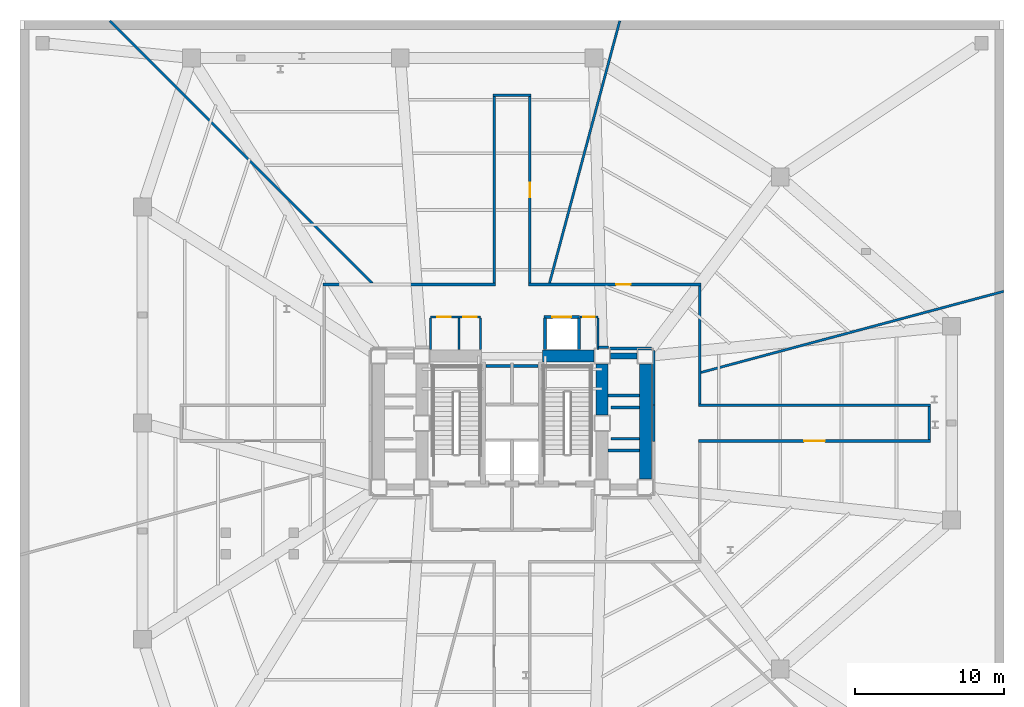
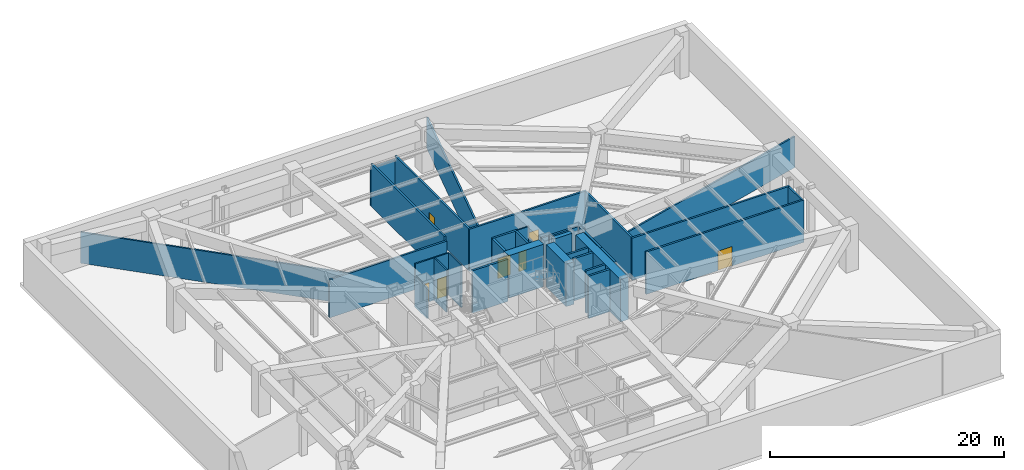
# One storey, part 4 of 6: 34 walls, 7 doors, 7 openings.
"""IFC4 building model written with IfcOpenShell, lengths in metres."""

from ifc_helpers import new_model, si_unit, direction, frame, frame_2d, origin, place, context, subcontext, project, spatial, rectangle, extrude, material, layer, layer_set, type_object, element, fill, save


model = new_model("IFC4")

# Units and contexts
model_context = context("Model", 3, precision=1e-05, world=origin(), true_north=direction((0.0, 1.0)))
body_context = subcontext(model_context, "Body", "Model", "MODEL_VIEW")
ifc_project = project(units=[si_unit("LENGTHUNIT", "METRE"), si_unit("AREAUNIT", "SQUARE_METRE"), si_unit("VOLUMEUNIT", "CUBIC_METRE"), si_unit("PLANEANGLEUNIT", "RADIAN"), si_unit("MASSUNIT", "GRAM", prefix="KILO")], contexts=[model_context])

# Site, building, storey
site_placement = place(None, origin())
site = spatial("IfcSite", under=ifc_project, at=site_placement, CompositionType="ELEMENT")
building_placement = place(site_placement, origin())
building = spatial("IfcBuilding", under=site, at=building_placement, Name="Rocaltana Carrier Exchange", CompositionType="ELEMENT")
storey_placement = place(building_placement, frame((0.0, 0.0, -4.800048828125)))
storey = spatial("IfcBuildingStorey", under=building, at=storey_placement, Name="Upper Basement", CompositionType="ELEMENT", Elevation=-4.800048828125)

# Walls
ifc_material_1 = material(Name="Double Acoustic Gypsum Partition", Category="gypsum")
ifc_layer_1 = layer(ifc_material_1, 0.159912109375)
ifc_layer_set_1 = layer_set([ifc_layer_1], Name="Double Acoustic Gypsum Partition")
wall_type_1 = type_object("IfcWallType", Name="Acoustic Studio Partition 160 EI60", PredefinedType="PARTITIONING", material=ifc_layer_set_1)
wall_1_placement = place(storey_placement, frame((12.679931640625, 3.397705078125, 0.0), z_axis=(0.0, 0.0, 1.0), x_axis=(0.965927838808, 0.258811534163, 0.0)))
element("IfcWall", 1, at=wall_1_placement, inside=storey, type_object=wall_type_1, Name="Upper Basement Suite Divider Wall D4", PredefinedType="PARTITIONING", context=body_context, shape_type="SweptSolid", body=[
    extrude(rectangle(XDim=21.0263671875, YDim=0.159912109375, at=frame_2d((10.51318359375, 0.0))), origin(), (0.0, 0.0, 1.0), 3.2431640625),
])
wall_2_placement = place(storey_placement, frame((2.513427734375, 9.3798828125, 0.0), z_axis=(0.0, 0.0, 1.0), x_axis=(0.258813507658, 0.965927310026, 0.0)))
element("IfcWall", 2, at=wall_2_placement, inside=storey, type_object=wall_type_1, Name="Upper Basement Suite Divider Wall D5", PredefinedType="PARTITIONING", context=body_context, shape_type="SweptSolid", body=[
    extrude(rectangle(XDim=18.231201171875, YDim=0.159912109375, at=frame_2d((9.11572265625, 0.0))), origin(), (0.0, 0.0, 1.0), 3.2431640625),
])
wall_3_placement = place(storey_placement, frame((-9.3798828125, 9.3798828125, 0.0), z_axis=(0.0, 0.0, 1.0), x_axis=(-0.707106781187, 0.707106781187, 0.0)))
element("IfcWall", 3, at=wall_3_placement, inside=storey, type_object=wall_type_1, Name="Upper Basement Suite Divider Wall D6", PredefinedType="PARTITIONING", context=body_context, shape_type="SweptSolid", body=[
    extrude(rectangle(XDim=24.904541015625, YDim=0.159912109375, at=frame_2d((12.4521484375, 0.0))), origin(), (0.0, 0.0, 1.0), 3.2431640625),
])
ifc_material_2 = material(Name="Concrete C50/60", Category="concrete")
ifc_layer_2 = layer(ifc_material_2, 0.39990234375)
ifc_layer_set_2 = layer_set([ifc_layer_2], Name="Concrete C50/60")
wall_type_2 = type_object("IfcWallType", Name="Core Internal Shear Wall 400", PredefinedType="SHEAR", material=ifc_layer_set_2)
wall_4_placement = place(storey_placement, frame((6.60009765625, 4.5, 0.0), z_axis=(0.0, 0.0, 1.0), x_axis=(1.0, 0.0, 0.0)))
element("IfcWall", 4, at=wall_4_placement, inside=storey, type_object=wall_type_2, Name="Upper Basement Core Shear Wall CW-EWN", PredefinedType="SHEAR", context=body_context, shape_type="SweptSolid", body=[
    extrude(rectangle(XDim=1.7998046875, YDim=0.39990234375, at=frame_2d((0.89990234375, 0.0))), origin(), (0.0, 0.0, 1.0), 4.43798828125),
])
ifc_material_3 = material(Name="Concrete C60/75", Category="concrete")
ifc_layer_3 = layer(ifc_material_3, 0.800048828125)
ifc_layer_set_3 = layer_set([ifc_layer_3], Name="Concrete C60/75")
wall_type_3 = type_object("IfcWallType", Name="Core Shear Wall 800", PredefinedType="SHEAR", material=ifc_layer_set_3)
wall_5_placement = place(storey_placement, frame((6.050048828125, 0.550048828125, 0.0), z_axis=(0.0, 0.0, 1.0), x_axis=(0.0, 1.0, 0.0)))
element("IfcWall", 5, at=wall_5_placement, inside=storey, type_object=wall_type_3, Name="Upper Basement Core Shear Wall CW-EN", PredefinedType="SHEAR", context=body_context, shape_type="SweptSolid", body=[
    extrude(rectangle(XDim=3.39990234375, YDim=0.800048828125, at=frame_2d((1.699951171875, 0.0))), origin(), (0.0, 0.0, 1.0), 4.43798828125),
])
wall_6_placement = place(storey_placement, frame((2.050048828125, 4.5, 0.0), z_axis=(0.0, 0.0, 1.0), x_axis=(1.0, 0.0, 0.0)))
element("IfcWall", 6, at=wall_6_placement, inside=storey, type_object=wall_type_3, Name="Upper Basement Core Shear Wall CW-N2", PredefinedType="SHEAR", context=body_context, shape_type="SweptSolid", body=[
    extrude(rectangle(XDim=3.449951171875, YDim=0.800048828125, at=frame_2d((1.72509765625, 0.0))), origin(), (0.0, 0.0, 1.0), 4.43798828125),
])
wall_7_placement = place(storey_placement, frame((8.949951171875, -3.75, 0.0), z_axis=(0.0, 0.0, 1.0), x_axis=(0.0, 1.0, 0.0)))
element("IfcWall", 7, at=wall_7_placement, inside=storey, type_object=wall_type_3, Name="Upper Basement Core Shear Wall CW-EW", PredefinedType="SHEAR", context=body_context, shape_type="SweptSolid", body=[
    extrude(rectangle(XDim=7.699951171875, YDim=0.800048828125, at=frame_2d((3.85009765625, 0.0))), origin(), (0.0, 0.0, 1.0), 4.43798828125),
])
ifc_material_4 = material(Name="Gypsum & Steel Stud Partition", Category="steel")
ifc_layer_4 = layer(ifc_material_4, 0.179931640625)
ifc_layer_set_4 = layer_set([ifc_layer_4], Name="Gypsum & Steel Stud Partition")
wall_type_4 = type_object("IfcWallType", Name="Corridor Fire Partition 180 EI60", PredefinedType="PARTITIONING", material=ifc_layer_set_4)
wall_8_placement = place(storey_placement, frame((-12.68994140625, 9.300048828125, 0.0), z_axis=(0.0, 0.0, 1.0), x_axis=(1.0, 0.0, 0.0)))
element("IfcWall", 8, at=wall_8_placement, inside=storey, type_object=wall_type_4, Name="Upper Basement Corridor Partition 4", PredefinedType="PARTITIONING", context=body_context, shape_type="SweptSolid", body=[
    extrude(rectangle(XDim=11.579833984375, YDim=0.179931640625, at=frame_2d((5.7900390625, 0.0))), origin(), (0.0, 0.0, 1.0), 3.97998046875),
])
wall_9_placement = place(storey_placement, frame((-1.199951171875, 9.389892578125, 0.0), z_axis=(0.0, 0.0, 1.0), x_axis=(0.0, 1.0, 0.0)))
element("IfcWall", 9, at=wall_9_placement, inside=storey, type_object=wall_type_4, Name="Upper Basement Corridor Partition 5", PredefinedType="PARTITIONING", context=body_context, shape_type="SweptSolid", body=[
    extrude(rectangle(XDim=12.52001953125, YDim=0.179931640625, at=frame_2d((6.260009765625, 0.0))), origin(), (0.0, 0.0, 1.0), 4.4130859375),
])
wall_10_placement = place(storey_placement, frame((-1.2900390625, 22.0, 0.0), z_axis=(0.0, 0.0, 1.0), x_axis=(1.0, 0.0, 0.0)))
element("IfcWall", 10, at=wall_10_placement, inside=storey, type_object=wall_type_4, Name="Upper Basement Corridor Partition 6", PredefinedType="PARTITIONING", context=body_context, shape_type="SweptSolid", body=[
    extrude(rectangle(XDim=2.580078125, YDim=0.179931640625, at=frame_2d((1.2900390625, 0.0))), origin(), (0.0, 0.0, 1.0), 3.97998046875),
])

# Wall, opening, door
wall_11_placement = place(storey_placement, frame((1.199951171875, 21.909912109375, 0.0), z_axis=(0.0, 0.0, 1.0), x_axis=(0.0, -1.0, 0.0)))
wall_11 = element("IfcWall", 11, at=wall_11_placement, inside=storey, type_object=wall_type_4, Name="Upper Basement Corridor Partition 7", PredefinedType="PARTITIONING", context=body_context, shape_type="SweptSolid", body=[
    extrude(rectangle(XDim=12.52001953125, YDim=0.179931640625, at=frame_2d((6.260009765625, 0.0))), origin(), (0.0, 0.0, 1.0), 4.4130859375),
])
opening_1_placement = place(wall_11_placement, frame((5.780029296875, 0.0, 0.0)))
opening_1 = element("IfcOpeningElement", 12, at=opening_1_placement, cuts=wall_11, Name="Opening D-RM098", PredefinedType="OPENING", context=body_context, shape_type="SweptSolid", body=[
    extrude(rectangle(XDim=0.9599609375, YDim=2.02001953125, at=frame_2d((0.47998046875, 1.010009765625))), frame((0.0, 0.099853515625, 0.0), z_axis=(0.0, -1.0, 0.0), x_axis=(1.0, 0.0, 0.0)), (0.0, 0.0, 1.0), 0.199951171875),
])
ifc_material_5 = material(Name="Engineered Hardwood Timber", Category="wood")
door_type_1 = type_object("IfcDoorType", Name="Workspace Single Door 960x2020", OperationType="NOTDEFINED", PredefinedType="DOOR", material=ifc_material_5)
door_1_placement = place(opening_1_placement, origin())
door_1 = element("IfcDoor", 13, at=door_1_placement, inside=storey, type_object=door_type_1, Name="Upper Basement Incoming Fibre Meet-Me Vault Entrance Door", OperationType="SINGLE_SWING_RIGHT", OverallHeight=2.02001953125, OverallWidth=0.9599609375, PredefinedType="DOOR", context=body_context, shape_type="SweptSolid", body=[
    extrude(rectangle(XDim=0.9599609375, YDim=2.02001953125, at=frame_2d((0.47998046875, 1.010009765625))), frame((0.0, 0.02490234375, 0.0), z_axis=(0.0, -1.0, 0.0), x_axis=(1.0, 0.0, 0.0)), (0.0, 0.0, 1.0), 0.050048828125),
])
fill(opening_1, door_1)

wall_12_placement = place(storey_placement, frame((1.110107421875, 9.300048828125, 0.0), z_axis=(0.0, 0.0, 1.0), x_axis=(1.0, 0.0, 0.0)))
wall_12 = element("IfcWall", 14, at=wall_12_placement, inside=storey, type_object=wall_type_4, Name="Upper Basement Corridor Partition 8", PredefinedType="PARTITIONING", context=body_context, shape_type="SweptSolid", body=[
    extrude(rectangle(XDim=11.579833984375, YDim=0.179931640625, at=frame_2d((5.7900390625, 0.0))), origin(), (0.0, 0.0, 1.0), 4.4130859375),
])
opening_2_placement = place(wall_12_placement, frame((5.8828125, 0.0, 0.0)))
opening_2 = element("IfcOpeningElement", 15, at=opening_2_placement, cuts=wall_12, Name="Opening D-RM098", PredefinedType="OPENING", context=body_context, shape_type="SweptSolid", body=[
    extrude(rectangle(XDim=0.9599609375, YDim=2.02001953125, at=frame_2d((0.47998046875, 1.010009765625))), frame((0.0, 0.099853515625, 0.0), z_axis=(0.0, -1.0, 0.0), x_axis=(1.0, 0.0, 0.0)), (0.0, 0.0, 1.0), 0.199951171875),
])
door_2_placement = place(opening_2_placement, origin())
door_2 = element("IfcDoor", 16, at=door_2_placement, inside=storey, type_object=door_type_1, Name="Upper Basement Fire Suppression Pump Room Entrance Door", OperationType="SINGLE_SWING_LEFT", OverallHeight=2.02001953125, OverallWidth=0.9599609375, PredefinedType="DOOR", context=body_context, shape_type="SweptSolid", body=[
    extrude(rectangle(XDim=0.9599609375, YDim=2.02001953125, at=frame_2d((0.47998046875, 1.010009765625))), frame((0.0, 0.02490234375, 0.0), z_axis=(0.0, -1.0, 0.0), x_axis=(1.0, 0.0, 0.0)), (0.0, 0.0, 1.0), 0.050048828125),
])
fill(opening_2, door_2)

# Walls
wall_13_placement = place(storey_placement, frame((12.60009765625, 9.2099609375, 0.0), z_axis=(0.0, 0.0, 1.0), x_axis=(0.0, -1.0, 0.0)))
element("IfcWall", 17, at=wall_13_placement, inside=storey, type_object=wall_type_4, Name="Upper Basement Corridor Partition 9", PredefinedType="PARTITIONING", context=body_context, shape_type="SweptSolid", body=[
    extrude(rectangle(XDim=7.919921875, YDim=0.179931640625, at=frame_2d((3.9599609375, 0.0))), origin(), (0.0, 0.0, 1.0), 4.4130859375),
])
wall_14_placement = place(storey_placement, frame((12.510009765625, 1.199951171875, 0.0), z_axis=(0.0, 0.0, 1.0), x_axis=(1.0, 0.0, 0.0)))
element("IfcWall", 18, at=wall_14_placement, inside=storey, type_object=wall_type_4, Name="Upper Basement Corridor Partition 10", PredefinedType="PARTITIONING", context=body_context, shape_type="SweptSolid", body=[
    extrude(rectangle(XDim=15.580078125, YDim=0.179931640625, at=frame_2d((7.7900390625, 0.0))), origin(), (0.0, 0.0, 1.0), 4.4130859375),
])
wall_15_placement = place(storey_placement, frame((28.0, 1.110107421875, 0.0), z_axis=(0.0, 0.0, 1.0), x_axis=(0.0, -1.0, 0.0)))
element("IfcWall", 19, at=wall_15_placement, inside=storey, type_object=wall_type_4, Name="Upper Basement Corridor Partition 11", PredefinedType="PARTITIONING", context=body_context, shape_type="SweptSolid", body=[
    extrude(rectangle(XDim=2.22021484375, YDim=0.179931640625, at=frame_2d((1.110107421875, 0.0))), origin(), (0.0, 0.0, 1.0), 4.4130859375),
])

# Wall, opening, door
wall_16_placement = place(storey_placement, frame((28.090087890625, -1.199951171875, 0.0), z_axis=(0.0, 0.0, 1.0), x_axis=(-1.0, 0.0, 0.0)))
wall_16 = element("IfcWall", 20, at=wall_16_placement, inside=storey, type_object=wall_type_4, Name="Upper Basement Corridor Partition 12", PredefinedType="PARTITIONING", context=body_context, shape_type="SweptSolid", body=[
    extrude(rectangle(XDim=15.580078125, YDim=0.179931640625, at=frame_2d((7.7900390625, 0.0))), origin(), (0.0, 0.0, 1.0), 4.4130859375),
])
opening_3_placement = place(wall_16_placement, frame((7.090087890625, 0.0, 0.0)))
opening_3 = element("IfcOpeningElement", 21, at=opening_3_placement, cuts=wall_16, Name="Opening G-SEC150", PredefinedType="OPENING", context=body_context, shape_type="SweptSolid", body=[
    extrude(rectangle(XDim=1.39990234375, YDim=2.0400390625, at=frame_2d((0.699951171875, 1.02001953125))), frame((0.0, 0.099853515625, 0.0), z_axis=(0.0, -1.0, 0.0), x_axis=(1.0, 0.0, 0.0)), (0.0, 0.0, 1.0), 0.199951171875),
])
ifc_material_6 = material(Name="Anodised Aluminium Security Grille", Category="aluminium")
door_type_2 = type_object("IfcDoorType", Name="Plant & Substation Security Gate 1400x2040", OperationType="NOTDEFINED", PredefinedType="GATE", material=ifc_material_6)
door_3_placement = place(opening_3_placement, origin())
door_3 = element("IfcDoor", 22, at=door_3_placement, inside=storey, type_object=door_type_2, Name="Upper Basement Chilled-Water Thermal Storage Plant Entrance Door", OperationType="SINGLE_SWING_RIGHT", OverallHeight=2.0400390625, OverallWidth=1.39990234375, PredefinedType="GATE", context=body_context, shape_type="SweptSolid", body=[
    extrude(rectangle(XDim=1.39990234375, YDim=2.0400390625, at=frame_2d((0.699951171875, 1.02001953125))), frame((0.0, 0.02490234375, 0.0), z_axis=(0.0, -1.0, 0.0), x_axis=(1.0, 0.0, 0.0)), (0.0, 0.0, 1.0), 0.050048828125),
])
fill(opening_3, door_3)

# Walls
wall_17_placement = place(storey_placement, frame((9.510009765625, -1.219970703125, 0.0), z_axis=(0.0, 0.0, 1.0), x_axis=(0.0, 1.0, 0.0)))
element("IfcWall", 23, at=wall_17_placement, inside=storey, type_object=wall_type_4, Name="Upper Basement Corridor Partition 29", PredefinedType="PARTITIONING", context=body_context, shape_type="SweptSolid", body=[
    extrude(rectangle(XDim=2.43994140625, YDim=0.179931640625, at=frame_2d((1.219970703125, 0.0))), origin(), (0.0, 0.0, 1.0), 4.4130859375),
])
wall_18_placement = place(storey_placement, frame((9.510009765625, 1.179931640625, 0.0), z_axis=(0.0, 0.0, 1.0), x_axis=(0.0, 1.0, 0.0)))
element("IfcWall", 24, at=wall_18_placement, inside=storey, type_object=wall_type_4, Name="Upper Basement Corridor Partition 30", PredefinedType="PARTITIONING", context=body_context, shape_type="SweptSolid", body=[
    extrude(rectangle(XDim=3.690185546875, YDim=0.179931640625, at=frame_2d((1.84521484375, 0.0))), origin(), (0.0, 0.0, 1.0), 4.4130859375),
])
wall_19_placement = place(storey_placement, frame((9.3701171875, 5.010009765625, 0.0), z_axis=(0.0, 0.0, 1.0), x_axis=(-1.0, 0.0, 0.0)))
element("IfcWall", 25, at=wall_19_placement, inside=storey, type_object=wall_type_4, Name="Upper Basement Corridor Partition 31", PredefinedType="PARTITIONING", context=body_context, shape_type="SweptSolid", body=[
    extrude(rectangle(XDim=2.807861328125, YDim=0.179931640625, at=frame_2d((1.40380859375, 0.0))), origin(), (0.0, 0.0, 1.0), 4.4130859375),
])
wall_20_placement = place(storey_placement, frame((6.469970703125, 5.080078125, 0.0), z_axis=(0.0, 0.0, 1.0), x_axis=(-1.0, 0.0, 0.0)))
element("IfcWall", 26, at=wall_20_placement, inside=storey, type_object=wall_type_4, Name="Upper Basement Corridor Partition 32", PredefinedType="PARTITIONING", context=body_context, shape_type="SweptSolid", body=[
    extrude(rectangle(XDim=0.679931640625, YDim=0.179931640625, at=frame_2d((0.33984375, 0.0))), origin(), (0.0, 0.0, 1.0), 4.4130859375),
])
ifc_material_7 = material(Name="Reinforced Concrete Block C35/45", Category="concrete")
ifc_layer_5 = layer(ifc_material_7, 0.199951171875)
ifc_layer_set_5 = layer_set([ifc_layer_5], Name="Reinforced Concrete Block C35/45")
wall_type_5 = type_object("IfcWallType", Name="Lift Hoistway Enclosure Wall 200 EI120", PredefinedType="PARTITIONING", material=ifc_layer_set_5)
wall_21_placement = place(storey_placement, frame((-1.760009765625, 3.820068359375, 0.0), z_axis=(0.0, 0.0, 1.0), x_axis=(1.0, 0.0, 0.0)))
element("IfcWall", 27, at=wall_21_placement, inside=storey, type_object=wall_type_5, Name="Upper Basement High-Rise Lift Front Wall", PredefinedType="PARTITIONING", context=body_context, shape_type="SweptSolid", body=[
    extrude(rectangle(XDim=3.52001953125, YDim=0.199951171875, at=frame_2d((1.760009765625, 0.0))), origin(), (0.0, 0.0, 1.0), 4.4130859375),
])
for number, where, z_axis, x_axis, name in (
    (28, (2.199951171875, 4.949951171875, 0.0), (0.0, 0.0, 1.0), (0.0, 1.0, 0.0), "Upper Basement Goods Lift West Wall"),
    (29, (4.47998046875, 4.949951171875, 0.0), (0.0, 0.0, 1.0), (0.0, 1.0, 0.0), "Upper Basement Goods Lift East Wall"),
):
    element("IfcWall", number, at=place(storey_placement, frame(where, z_axis=z_axis, x_axis=x_axis)), inside=storey, type_object=wall_type_5, Name=name, PredefinedType="PARTITIONING", context=body_context, shape_type="SweptSolid", body=[
        extrude(rectangle(XDim=2.10009765625, YDim=0.199951171875, at=frame_2d((1.050048828125, 0.0))), origin(), (0.0, 0.0, 1.0), 4.4130859375),
    ])

# Wall, opening, door
wall_22_placement = place(storey_placement, frame((2.14990234375, 7.1201171875, 0.0), z_axis=(0.0, 0.0, 1.0), x_axis=(1.0, 0.0, 0.0)))
wall_22 = element("IfcWall", 30, at=wall_22_placement, inside=storey, type_object=wall_type_5, Name="Upper Basement Goods Lift Front Wall", PredefinedType="PARTITIONING", context=body_context, shape_type="SweptSolid", body=[
    extrude(rectangle(XDim=2.380126953125, YDim=0.199951171875, at=frame_2d((1.18994140625, 0.0))), origin(), (0.0, 0.0, 1.0), 4.4130859375),
])
opening_4_placement = place(wall_22_placement, frame((0.56005859375, 0.0, 0.0)))
opening_4 = element("IfcOpeningElement", 31, at=opening_4_placement, cuts=wall_22, Name="Opening LD-130", PredefinedType="OPENING", context=body_context, shape_type="SweptSolid", body=[
    extrude(rectangle(XDim=1.260009765625, YDim=2.06005859375, at=frame_2d((0.6298828125, 1.030029296875))), frame((0.0, 0.10986328125, 0.0), z_axis=(0.0, -1.0, 0.0), x_axis=(1.0, 0.0, 0.0)), (0.0, 0.0, 1.0), 0.219970703125),
])
ifc_material_8 = material(Name="Brushed Stainless Sliding Door Leaf", Category="steel")
door_type_3 = type_object("IfcDoorType", Name="Goods Lift Landing Sliding Door 1260x2060", OperationType="NOTDEFINED", PredefinedType="DOOR", material=ifc_material_8)
door_4_placement = place(opening_4_placement, origin())
door_4 = element("IfcDoor", 32, at=door_4_placement, inside=storey, type_object=door_type_3, Name="Upper Basement Goods Lift GL-1 Landing Door", OperationType="SLIDING_TO_LEFT", OverallHeight=2.06005859375, OverallWidth=1.260009765625, PredefinedType="DOOR", context=body_context, shape_type="SweptSolid", body=[
    extrude(rectangle(XDim=1.260009765625, YDim=2.06005859375, at=frame_2d((0.6298828125, 1.030029296875))), frame((0.0, 0.02490234375, 0.0), z_axis=(0.0, -1.0, 0.0), x_axis=(1.0, 0.0, 0.0)), (0.0, 0.0, 1.0), 0.050048828125),
])
fill(opening_4, door_4)

# Walls
for number, where, z_axis, x_axis, name in (
    (33, (6.449951171875, -1.85009765625, 0.0), (0.0, 0.0, 1.0), (1.0, 0.0, 0.0), "Upper Basement Mid-Rise Shaft Divider 1"),
    (34, (6.449951171875, 1.85009765625, 0.0), (0.0, 0.0, 1.0), (1.0, 0.0, 0.0), "Upper Basement Mid-Rise Shaft Divider 2"),
):
    element("IfcWall", number, at=place(storey_placement, frame(where, z_axis=z_axis, x_axis=x_axis)), inside=storey, type_object=wall_type_5, Name=name, PredefinedType="PARTITIONING", context=body_context, shape_type="SweptSolid", body=[
        extrude(rectangle(XDim=2.10009765625, YDim=0.199951171875, at=frame_2d((1.050048828125, 0.0))), origin(), (0.0, 0.0, 1.0), 4.4130859375),
    ])
for number, where, z_axis, x_axis, name in (
    (35, (6.639892578125, -1.050048828125, 0.0), (0.0, 0.0, 1.0), (1.0, 0.0, 0.0), "Upper Basement Mid-Rise Center Shaft Wall South"),
    (36, (6.639892578125, 1.050048828125, 0.0), (0.0, 0.0, 1.0), (1.0, 0.0, 0.0), "Upper Basement Mid-Rise Center Shaft Wall North"),
):
    element("IfcWall", number, at=place(storey_placement, frame(where, z_axis=z_axis, x_axis=x_axis)), inside=storey, type_object=wall_type_5, Name=name, PredefinedType="PARTITIONING", context=body_context, shape_type="SweptSolid", body=[
        extrude(rectangle(XDim=1.91015625, YDim=0.199951171875, at=frame_2d((0.955078125, 0.0))), origin(), (0.0, 0.0, 1.0), 4.4130859375),
    ])
ifc_material_9 = material(Name="Moisture-Resistant Masonry C30/37", Category="masonry")
ifc_layer_6 = layer(ifc_material_9, 0.139892578125)
ifc_layer_set_6 = layer_set([ifc_layer_6], Name="Moisture-Resistant Masonry C30/37")
wall_type_6 = type_object("IfcWallType", Name="Wet-Area Sanitary Partition 140", PredefinedType="PARTITIONING", material=ifc_layer_set_6)
wall_23_placement = place(storey_placement, frame((-5.47998046875, 4.949951171875, 0.0), z_axis=(0.0, 0.0, 1.0), x_axis=(0.0, 1.0, 0.0)))
element("IfcWall", 37, at=wall_23_placement, inside=storey, type_object=wall_type_6, Name="Upper Basement Sanitary West Wall", PredefinedType="PARTITIONING", context=body_context, shape_type="SweptSolid", body=[
    extrude(rectangle(XDim=2.10009765625, YDim=0.139892578125, at=frame_2d((1.050048828125, 0.0))), origin(), (0.0, 0.0, 1.0), 3.2431640625),
])
for number, where, z_axis, x_axis, name in (
    (38, (-3.56005859375, 4.949951171875, 0.0), (0.0, 0.0, 1.0), (0.0, 1.0, 0.0), "Upper Basement Sanitary Divider"),
    (39, (-2.1201171875, 4.949951171875, 0.0), (0.0, 0.0, 1.0), (0.0, 1.0, 0.0), "Upper Basement Sanitary East Wall"),
):
    element("IfcWall", number, at=place(storey_placement, frame(where, z_axis=z_axis, x_axis=x_axis)), inside=storey, type_object=wall_type_6, Name=name, PredefinedType="PARTITIONING", context=body_context, shape_type="SweptSolid", body=[
        extrude(rectangle(XDim=2.10009765625, YDim=0.139892578125, at=frame_2d((1.050048828125, 0.0))), origin(), (0.0, 0.0, 1.0), 4.4130859375),
    ])

# Wall, openings, doors
wall_24_placement = place(storey_placement, frame((-5.47998046875, 7.1201171875, 0.0), z_axis=(0.0, 0.0, 1.0), x_axis=(1.0, 0.0, 0.0)))
wall_24 = element("IfcWall", 40, at=wall_24_placement, inside=storey, type_object=wall_type_6, Name="Upper Basement Sanitary North Wall", PredefinedType="PARTITIONING", context=body_context, shape_type="SweptSolid", body=[
    extrude(rectangle(XDim=3.35986328125, YDim=0.139892578125, at=frame_2d((1.679931640625, 0.0))), origin(), (0.0, 0.0, 1.0), 4.4130859375),
])
opening_5_placement = place(wall_24_placement, frame((0.47998046875, 0.0, 0.0)))
opening_5 = element("IfcOpeningElement", 41, at=opening_5_placement, cuts=wall_24, Name="Opening D-WC090", PredefinedType="OPENING", context=body_context, shape_type="SweptSolid", body=[
    extrude(rectangle(XDim=0.8798828125, YDim=2.02001953125, at=frame_2d((0.43994140625, 1.010009765625))), frame((0.0, 0.079833984375, 0.0), z_axis=(0.0, -1.0, 0.0), x_axis=(1.0, 0.0, 0.0)), (0.0, 0.0, 1.0), 0.159912109375),
])
opening_6_placement = place(wall_24_placement, frame((2.219970703125, 0.0, 0.0)))
opening_6 = element("IfcOpeningElement", 42, at=opening_6_placement, cuts=wall_24, Name="Opening D-WC090", PredefinedType="OPENING", context=body_context, shape_type="SweptSolid", body=[
    extrude(rectangle(XDim=0.8798828125, YDim=2.02001953125, at=frame_2d((0.43994140625, 1.010009765625))), frame((0.0, 0.079833984375, 0.0), z_axis=(0.0, -1.0, 0.0), x_axis=(1.0, 0.0, 0.0)), (0.0, 0.0, 1.0), 0.159912109375),
])
ifc_material_10 = material(Name="High-Pressure Laminate Timber", Category="wood")
door_type_4 = type_object("IfcDoorType", Name="Restroom & Accessible WC Door 880x2020", OperationType="NOTDEFINED", PredefinedType="DOOR", material=ifc_material_10)
door_5_placement = place(opening_5_placement, origin())
door_5 = element("IfcDoor", 43, at=door_5_placement, inside=storey, type_object=door_type_4, Name="Upper Basement Accessible Toilet Door", OperationType="SINGLE_SWING_LEFT", OverallHeight=2.02001953125, OverallWidth=0.8798828125, PredefinedType="DOOR", context=body_context, shape_type="SweptSolid", body=[
    extrude(rectangle(XDim=0.8798828125, YDim=2.02001953125, at=frame_2d((0.43994140625, 1.010009765625))), frame((0.0, 0.02490234375, 0.0), z_axis=(0.0, -1.0, 0.0), x_axis=(1.0, 0.0, 0.0)), (0.0, 0.0, 1.0), 0.050048828125),
])
fill(opening_5, door_5)
door_6_placement = place(opening_6_placement, origin())
door_6 = element("IfcDoor", 44, at=door_6_placement, inside=storey, type_object=door_type_4, Name="Upper Basement Staff Restroom Door", OperationType="SINGLE_SWING_RIGHT", OverallHeight=2.02001953125, OverallWidth=0.8798828125, PredefinedType="DOOR", context=body_context, shape_type="SweptSolid", body=[
    extrude(rectangle(XDim=0.8798828125, YDim=2.02001953125, at=frame_2d((0.43994140625, 1.010009765625))), frame((0.0, 0.02490234375, 0.0), z_axis=(0.0, -1.0, 0.0), x_axis=(1.0, 0.0, 0.0)), (0.0, 0.0, 1.0), 0.050048828125),
])
fill(opening_6, door_6)

# Wall
wall_25_placement = place(storey_placement, frame((5.760009765625, 4.949951171875, 0.0), z_axis=(0.0, 0.0, 1.0), x_axis=(0.0, 1.0, 0.0)))
element("IfcWall", 45, at=wall_25_placement, inside=storey, type_object=wall_type_6, Name="Upper Basement Riser East Wall", PredefinedType="PARTITIONING", context=body_context, shape_type="SweptSolid", body=[
    extrude(rectangle(XDim=2.10009765625, YDim=0.139892578125, at=frame_2d((1.050048828125, 0.0))), origin(), (0.0, 0.0, 1.0), 3.2431640625),
])

# Wall, opening, door
wall_26_placement = place(storey_placement, frame((4.56005859375, 7.1201171875, 0.0), z_axis=(0.0, 0.0, 1.0), x_axis=(1.0, 0.0, 0.0)))
wall_26 = element("IfcWall", 46, at=wall_26_placement, inside=storey, type_object=wall_type_6, Name="Upper Basement Riser North Wall", PredefinedType="PARTITIONING", context=body_context, shape_type="SweptSolid", body=[
    extrude(rectangle(XDim=1.199951171875, YDim=0.139892578125, at=frame_2d((0.60009765625, 0.0))), origin(), (0.0, 0.0, 1.0), 4.4130859375),
])
opening_7_placement = place(wall_26_placement, frame((0.2099609375, 0.0, 0.0)))
opening_7 = element("IfcOpeningElement", 47, at=opening_7_placement, cuts=wall_26, Name="Opening D-RS082", PredefinedType="OPENING", context=body_context, shape_type="SweptSolid", body=[
    extrude(rectangle(XDim=0.780029296875, YDim=2.010009765625, at=frame_2d((0.39013671875, 1.0048828125))), frame((0.0, 0.079833984375, 0.0), z_axis=(0.0, -1.0, 0.0), x_axis=(1.0, 0.0, 0.0)), (0.0, 0.0, 1.0), 0.159912109375),
])
ifc_material_11 = material(Name="Hollow Metal Access Door Leaf", Category="steel")
door_type_5 = type_object("IfcDoorType", Name="Riser & Service Closet Door 780x2010", OperationType="NOTDEFINED", PredefinedType="DOOR", material=ifc_material_11)
door_7_placement = place(opening_7_placement, origin())
door_7 = element("IfcDoor", 48, at=door_7_placement, inside=storey, type_object=door_type_5, Name="Upper Basement Fibre Riser Closet Door", OperationType="SINGLE_SWING_LEFT", OverallHeight=2.010009765625, OverallWidth=0.780029296875, PredefinedType="DOOR", context=body_context, shape_type="SweptSolid", body=[
    extrude(rectangle(XDim=0.780029296875, YDim=2.010009765625, at=frame_2d((0.39013671875, 1.0048828125))), frame((0.0, 0.02490234375, 0.0), z_axis=(0.0, -1.0, 0.0), x_axis=(1.0, 0.0, 0.0)), (0.0, 0.0, 1.0), 0.050048828125),
])
fill(opening_7, door_7)

save(model, "model.ifc")
